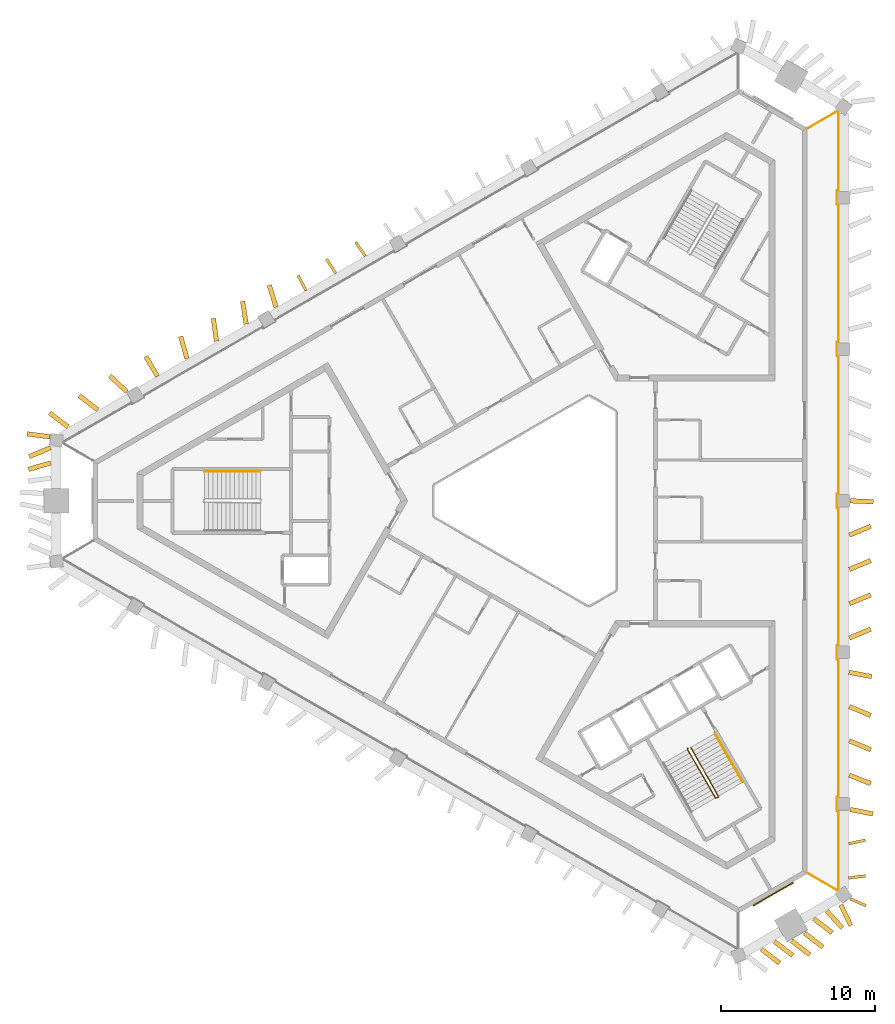
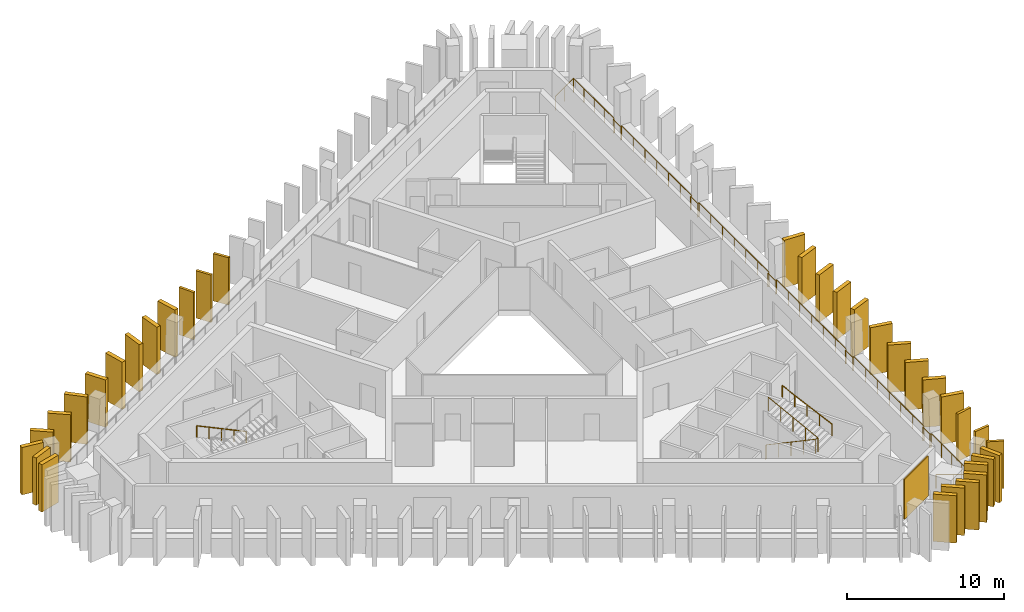
# One storey, part 8 of 9: 34 shading devices, 4 railings, 1 covering.
"""IFC4 building model written with IfcOpenShell, lengths in metres."""

from ifc_helpers import new_model, si_unit, direction, frame, frame_2d, origin, origin_2d, place, context, subcontext, project, spatial, rectangle, circle, extrude, material, layer, layer_set, type_object, element, save


model = new_model("IFC4")

# Units and contexts
model_context = context("Model", 3, precision=1e-05, world=origin(), true_north=direction((0.0, 1.0)))
body_context = subcontext(model_context, "Body", "Model", "MODEL_VIEW")
ifc_project = project(units=[si_unit("LENGTHUNIT", "METRE"), si_unit("AREAUNIT", "SQUARE_METRE"), si_unit("VOLUMEUNIT", "CUBIC_METRE"), si_unit("PLANEANGLEUNIT", "RADIAN"), si_unit("MASSUNIT", "GRAM", prefix="KILO")], contexts=[model_context])

# Site, building, storey
site_placement = place(None, origin())
site = spatial("IfcSite", under=ifc_project, at=site_placement, CompositionType="ELEMENT")
building_placement = place(site_placement, origin())
building = spatial("IfcBuilding", under=site, at=building_placement, Name="Jabali Bay Hotel Tower and Convention Centre", CompositionType="ELEMENT")
storey_placement = place(building_placement, frame((0.0, 0.0, 262.699951171875)))
storey = spatial("IfcBuildingStorey", under=building, at=storey_placement, Name="L64", CompositionType="ELEMENT", Elevation=262.699951171875)

# Railing
ifc_material_1 = material(Name="Glass", Category="glass")
railing_type_1 = type_object("IfcRailingType", Name="Loggia glass guard 1100", PredefinedType="BALUSTRADE", material=ifc_material_1)
railing_1_placement = place(storey_placement, frame((92.001953125, 104.217041015625, 0.0)))
element("IfcRailing", 1, at=railing_1_placement, inside=storey, type_object=railing_type_1, Name="Loggia glass guard L64", PredefinedType="BALUSTRADE", context=body_context, shape_type="SweptSolid", body=[
    extrude(circle(Radius=0.02490234375, at=origin_2d()), frame((0.0, 0.0, 1.0751953125), z_axis=(0.866035472144, 0.499982560684, 0.0), x_axis=(-0.495705140567, 0.858626418625, 0.13052619222)), (0.0, 0.0, 1.0), 2.27490234375),
    extrude(circle(Radius=0.02490234375, at=origin_2d()), frame((1.97021484375, 1.137451171875, 1.0751953125), z_axis=(0.798426583615, -0.602092177808, 0.0), x_axis=(0.596941195761, 0.791595933509, 0.13052619222)), (0.0, 0.0, 1.0), 0.037353515625),
    extrude(circle(Radius=0.02490234375, at=origin_2d()), frame((2.0, 1.114990234375, 1.0751953125), z_axis=(0.0, -1.0, 0.0), x_axis=(0.991444861374, 0.0, 0.13052619222)), (0.0, 0.0, 1.0), 5.165283203125),
    extrude(circle(Radius=0.02490234375, at=origin_2d()), frame((2.0, -4.05029296875, 1.0751953125), z_axis=(-1.0, 0.0, 0.0), x_axis=(0.0, -0.991444861374, 0.13052619222)), (0.0, 0.0, 1.0), 0.099853515625),
    extrude(circle(Radius=0.02490234375, at=origin_2d()), frame((1.900146484375, -4.05029296875, 1.0751953125), z_axis=(0.0, -1.0, 0.0), x_axis=(0.991444861374, 0.0, 0.13052619222)), (0.0, 0.0, 1.0), 0.89990234375),
    extrude(circle(Radius=0.02490234375, at=origin_2d()), frame((1.900146484375, -4.9501953125, 1.0751953125), z_axis=(1.0, 0.0, 0.0), x_axis=(0.0, 0.991444861374, 0.13052619222)), (0.0, 0.0, 1.0), 0.099853515625),
    extrude(circle(Radius=0.02490234375, at=origin_2d()), frame((2.0, -4.9501953125, 1.0751953125), z_axis=(0.0, -1.0, 0.0), x_axis=(0.991444861374, 0.0, 0.13052619222)), (0.0, 0.0, 1.0), 8.95849609375),
    extrude(circle(Radius=0.02490234375, at=origin_2d()), frame((2.0, -13.90869140625, 1.0751953125), z_axis=(-1.0, 0.0, 0.0), x_axis=(0.0, -0.991444861374, 0.13052619222)), (0.0, 0.0, 1.0), 0.099853515625),
    extrude(circle(Radius=0.02490234375, at=origin_2d()), frame((1.900146484375, -13.90869140625, 1.0751953125), z_axis=(0.0, -1.0, 0.0), x_axis=(0.991444861374, 0.0, 0.13052619222)), (0.0, 0.0, 1.0), 0.89990234375),
    extrude(circle(Radius=0.02490234375, at=origin_2d()), frame((1.900146484375, -14.80859375, 1.0751953125), z_axis=(1.0, 0.0, 0.0), x_axis=(0.0, 0.991444861374, 0.13052619222)), (0.0, 0.0, 1.0), 0.099853515625),
    extrude(circle(Radius=0.02490234375, at=origin_2d()), frame((2.0, -14.80859375, 1.0751953125), z_axis=(0.0, -1.0, 0.0), x_axis=(0.991444861374, 0.0, 0.13052619222)), (0.0, 0.0, 1.0), 8.95849609375),
    extrude(circle(Radius=0.02490234375, at=origin_2d()), frame((2.0, -23.76708984375, 1.0751953125), z_axis=(-1.0, 0.0, 0.0), x_axis=(0.0, -0.991444861374, 0.13052619222)), (0.0, 0.0, 1.0), 0.099853515625),
    extrude(circle(Radius=0.02490234375, at=origin_2d()), frame((1.900146484375, -23.76708984375, 1.0751953125), z_axis=(0.0, -1.0, 0.0), x_axis=(0.991444861374, 0.0, 0.13052619222)), (0.0, 0.0, 1.0), 0.89990234375),
    extrude(circle(Radius=0.02490234375, at=origin_2d()), frame((1.900146484375, -24.6669921875, 1.0751953125), z_axis=(1.0, 0.0, 0.0), x_axis=(0.0, 0.991444861374, 0.13052619222)), (0.0, 0.0, 1.0), 0.099853515625),
    extrude(circle(Radius=0.02490234375, at=origin_2d()), frame((2.0, -24.6669921875, 1.0751953125), z_axis=(0.0, -1.0, 0.0), x_axis=(0.991444861374, 0.0, 0.13052619222)), (0.0, 0.0, 1.0), 8.95849609375),
    extrude(circle(Radius=0.02490234375, at=origin_2d()), frame((2.0, -33.62548828125, 1.0751953125), z_axis=(-1.0, 0.0, 0.0), x_axis=(0.0, -0.991444861374, 0.13052619222)), (0.0, 0.0, 1.0), 0.099853515625),
    extrude(circle(Radius=0.02490234375, at=origin_2d()), frame((1.900146484375, -33.62548828125, 1.0751953125), z_axis=(0.0, -1.0, 0.0), x_axis=(0.991444861374, 0.0, 0.13052619222)), (0.0, 0.0, 1.0), 0.89990234375),
    extrude(circle(Radius=0.02490234375, at=origin_2d()), frame((1.900146484375, -34.525390625, 1.0751953125), z_axis=(1.0, 0.0, 0.0), x_axis=(0.0, 0.991444861374, 0.13052619222)), (0.0, 0.0, 1.0), 0.099853515625),
    extrude(circle(Radius=0.02490234375, at=origin_2d()), frame((2.0, -34.525390625, 1.0751953125), z_axis=(0.0, -1.0, 0.0), x_axis=(0.991444861374, 0.0, 0.13052619222)), (0.0, 0.0, 1.0), 8.95849609375),
    extrude(circle(Radius=0.02490234375, at=origin_2d()), frame((2.0, -43.48388671875, 1.0751953125), z_axis=(-1.0, 0.0, 0.0), x_axis=(0.0, -0.991444861374, 0.13052619222)), (0.0, 0.0, 1.0), 0.099853515625),
    extrude(circle(Radius=0.02490234375, at=origin_2d()), frame((1.900146484375, -43.48388671875, 1.0751953125), z_axis=(0.0, -1.0, 0.0), x_axis=(0.991444861374, 0.0, 0.13052619222)), (0.0, 0.0, 1.0), 0.89990234375),
    extrude(circle(Radius=0.02490234375, at=origin_2d()), frame((1.900146484375, -44.3837890625, 1.0751953125), z_axis=(1.0, 0.0, 0.0), x_axis=(0.0, 0.991444861374, 0.13052619222)), (0.0, 0.0, 1.0), 0.099853515625),
    extrude(circle(Radius=0.02490234375, at=origin_2d()), frame((2.0, -44.3837890625, 1.0751953125), z_axis=(0.0, -1.0, 0.0), x_axis=(0.991444861374, 0.0, 0.13052619222)), (0.0, 0.0, 1.0), 5.165283203125),
    extrude(circle(Radius=0.02490234375, at=origin_2d()), frame((2.0, -49.549072265625, 1.0751953125), z_axis=(-0.798426583615, -0.602092177808, 0.0), x_axis=(0.596941195761, -0.791595933509, 0.13052619222)), (0.0, 0.0, 1.0), 0.037353515625),
    extrude(circle(Radius=0.02490234375, at=origin_2d()), frame((1.97021484375, -49.571533203125, 1.0751953125), z_axis=(-0.866035472144, 0.499982560684, 0.0), x_axis=(-0.495705140567, -0.858626418625, 0.13052619222)), (0.0, 0.0, 1.0), 2.27490234375),
    extrude(circle(Radius=0.02001953125, at=origin_2d()), origin(), (0.0, 0.0, 1.0), 1.050048828125),
    extrude(circle(Radius=0.02001953125, at=origin_2d()), frame((0.985107421875, 0.56884765625, 0.0)), (0.0, 0.0, 1.0), 1.050048828125),
    extrude(circle(Radius=0.02001953125, at=origin_2d()), frame((1.97021484375, 1.137451171875, 0.0)), (0.0, 0.0, 1.0), 1.050048828125),
    extrude(circle(Radius=0.02001953125, at=origin_2d()), frame((2.0, 1.114990234375, 0.0)), (0.0, 0.0, 1.0), 1.050048828125),
    extrude(circle(Radius=0.02001953125, at=origin_2d()), frame((2.0, -0.17626953125, 0.0)), (0.0, 0.0, 1.0), 1.050048828125),
    extrude(circle(Radius=0.02001953125, at=origin_2d()), frame((2.0, -1.4677734375, 0.0)), (0.0, 0.0, 1.0), 1.050048828125),
    extrude(circle(Radius=0.02001953125, at=origin_2d()), frame((2.0, -2.759033203125, 0.0)), (0.0, 0.0, 1.0), 1.050048828125),
    extrude(circle(Radius=0.02001953125, at=origin_2d()), frame((2.0, -4.05029296875, 0.0)), (0.0, 0.0, 1.0), 1.050048828125),
    extrude(circle(Radius=0.02001953125, at=origin_2d()), frame((1.900146484375, -4.05029296875, 0.0)), (0.0, 0.0, 1.0), 1.050048828125),
    extrude(circle(Radius=0.02001953125, at=origin_2d()), frame((1.900146484375, -4.9501953125, 0.0)), (0.0, 0.0, 1.0), 1.050048828125),
    extrude(circle(Radius=0.02001953125, at=origin_2d()), frame((2.0, -4.9501953125, 0.0)), (0.0, 0.0, 1.0), 1.050048828125),
    extrude(circle(Radius=0.02001953125, at=origin_2d()), frame((2.0, -6.443359375, 0.0)), (0.0, 0.0, 1.0), 1.050048828125),
    extrude(circle(Radius=0.02001953125, at=origin_2d()), frame((2.0, -7.936279296875, 0.0)), (0.0, 0.0, 1.0), 1.050048828125),
    extrude(circle(Radius=0.02001953125, at=origin_2d()), frame((2.0, -9.429443359375, 0.0)), (0.0, 0.0, 1.0), 1.050048828125),
    extrude(circle(Radius=0.02001953125, at=origin_2d()), frame((2.0, -10.922607421875, 0.0)), (0.0, 0.0, 1.0), 1.050048828125),
    extrude(circle(Radius=0.02001953125, at=origin_2d()), frame((2.0, -12.41552734375, 0.0)), (0.0, 0.0, 1.0), 1.050048828125),
    extrude(circle(Radius=0.02001953125, at=origin_2d()), frame((2.0, -13.90869140625, 0.0)), (0.0, 0.0, 1.0), 1.050048828125),
    extrude(circle(Radius=0.02001953125, at=origin_2d()), frame((1.900146484375, -13.90869140625, 0.0)), (0.0, 0.0, 1.0), 1.050048828125),
    extrude(circle(Radius=0.02001953125, at=origin_2d()), frame((1.900146484375, -14.80859375, 0.0)), (0.0, 0.0, 1.0), 1.050048828125),
    extrude(circle(Radius=0.02001953125, at=origin_2d()), frame((2.0, -14.80859375, 0.0)), (0.0, 0.0, 1.0), 1.050048828125),
    extrude(circle(Radius=0.02001953125, at=origin_2d()), frame((2.0, -16.3017578125, 0.0)), (0.0, 0.0, 1.0), 1.050048828125),
    extrude(circle(Radius=0.02001953125, at=origin_2d()), frame((2.0, -17.794677734375, 0.0)), (0.0, 0.0, 1.0), 1.050048828125),
    extrude(circle(Radius=0.02001953125, at=origin_2d()), frame((2.0, -19.287841796875, 0.0)), (0.0, 0.0, 1.0), 1.050048828125),
    extrude(circle(Radius=0.02001953125, at=origin_2d()), frame((2.0, -20.781005859375, 0.0)), (0.0, 0.0, 1.0), 1.050048828125),
    extrude(circle(Radius=0.02001953125, at=origin_2d()), frame((2.0, -22.27392578125, 0.0)), (0.0, 0.0, 1.0), 1.050048828125),
    extrude(circle(Radius=0.02001953125, at=origin_2d()), frame((2.0, -23.76708984375, 0.0)), (0.0, 0.0, 1.0), 1.050048828125),
    extrude(circle(Radius=0.02001953125, at=origin_2d()), frame((1.900146484375, -23.76708984375, 0.0)), (0.0, 0.0, 1.0), 1.050048828125),
    extrude(circle(Radius=0.02001953125, at=origin_2d()), frame((1.900146484375, -24.6669921875, 0.0)), (0.0, 0.0, 1.0), 1.050048828125),
    extrude(circle(Radius=0.02001953125, at=origin_2d()), frame((2.0, -24.6669921875, 0.0)), (0.0, 0.0, 1.0), 1.050048828125),
    extrude(circle(Radius=0.02001953125, at=origin_2d()), frame((2.0, -26.16015625, 0.0)), (0.0, 0.0, 1.0), 1.050048828125),
    extrude(circle(Radius=0.02001953125, at=origin_2d()), frame((2.0, -27.653076171875, 0.0)), (0.0, 0.0, 1.0), 1.050048828125),
    extrude(circle(Radius=0.02001953125, at=origin_2d()), frame((2.0, -29.146240234375, 0.0)), (0.0, 0.0, 1.0), 1.050048828125),
    extrude(circle(Radius=0.02001953125, at=origin_2d()), frame((2.0, -30.639404296875, 0.0)), (0.0, 0.0, 1.0), 1.050048828125),
    extrude(circle(Radius=0.02001953125, at=origin_2d()), frame((2.0, -32.13232421875, 0.0)), (0.0, 0.0, 1.0), 1.050048828125),
    extrude(circle(Radius=0.02001953125, at=origin_2d()), frame((2.0, -33.62548828125, 0.0)), (0.0, 0.0, 1.0), 1.050048828125),
    extrude(circle(Radius=0.02001953125, at=origin_2d()), frame((1.900146484375, -33.62548828125, 0.0)), (0.0, 0.0, 1.0), 1.050048828125),
    extrude(circle(Radius=0.02001953125, at=origin_2d()), frame((1.900146484375, -34.525390625, 0.0)), (0.0, 0.0, 1.0), 1.050048828125),
    extrude(circle(Radius=0.02001953125, at=origin_2d()), frame((2.0, -34.525390625, 0.0)), (0.0, 0.0, 1.0), 1.050048828125),
    extrude(circle(Radius=0.02001953125, at=origin_2d()), frame((2.0, -36.0185546875, 0.0)), (0.0, 0.0, 1.0), 1.050048828125),
    extrude(circle(Radius=0.02001953125, at=origin_2d()), frame((2.0, -37.511474609375, 0.0)), (0.0, 0.0, 1.0), 1.050048828125),
    extrude(circle(Radius=0.02001953125, at=origin_2d()), frame((2.0, -39.004638671875, 0.0)), (0.0, 0.0, 1.0), 1.050048828125),
    extrude(circle(Radius=0.02001953125, at=origin_2d()), frame((2.0, -40.497802734375, 0.0)), (0.0, 0.0, 1.0), 1.050048828125),
    extrude(circle(Radius=0.02001953125, at=origin_2d()), frame((2.0, -41.99072265625, 0.0)), (0.0, 0.0, 1.0), 1.050048828125),
    extrude(circle(Radius=0.02001953125, at=origin_2d()), frame((2.0, -43.48388671875, 0.0)), (0.0, 0.0, 1.0), 1.050048828125),
    extrude(circle(Radius=0.02001953125, at=origin_2d()), frame((1.900146484375, -43.48388671875, 0.0)), (0.0, 0.0, 1.0), 1.050048828125),
    extrude(circle(Radius=0.02001953125, at=origin_2d()), frame((1.900146484375, -44.3837890625, 0.0)), (0.0, 0.0, 1.0), 1.050048828125),
    extrude(circle(Radius=0.02001953125, at=origin_2d()), frame((2.0, -44.3837890625, 0.0)), (0.0, 0.0, 1.0), 1.050048828125),
    extrude(circle(Radius=0.02001953125, at=origin_2d()), frame((2.0, -45.675048828125, 0.0)), (0.0, 0.0, 1.0), 1.050048828125),
    extrude(circle(Radius=0.02001953125, at=origin_2d()), frame((2.0, -46.96630859375, 0.0)), (0.0, 0.0, 1.0), 1.050048828125),
    extrude(circle(Radius=0.02001953125, at=origin_2d()), frame((2.0, -48.2578125, 0.0)), (0.0, 0.0, 1.0), 1.050048828125),
    extrude(circle(Radius=0.02001953125, at=origin_2d()), frame((2.0, -49.549072265625, 0.0)), (0.0, 0.0, 1.0), 1.050048828125),
    extrude(circle(Radius=0.02001953125, at=origin_2d()), frame((1.97021484375, -49.571533203125, 0.0)), (0.0, 0.0, 1.0), 1.050048828125),
    extrude(circle(Radius=0.02001953125, at=origin_2d()), frame((0.985107421875, -49.0029296875, 0.0)), (0.0, 0.0, 1.0), 1.050048828125),
    extrude(circle(Radius=0.02001953125, at=origin_2d()), frame((0.0, -48.43408203125, 0.0)), (0.0, 0.0, 1.0), 1.050048828125),
])

# Shading devices
ifc_material_2 = material(Name="Precast concrete C60", Category="concrete")
ifc_layer_1 = layer(ifc_material_2, 0.179931640625)
ifc_layer_set_1 = layer_set([ifc_layer_1], Name="Precast concrete C60")
shading_device_type_1 = type_object("IfcShadingDeviceType", Name="Precast fin 3680 x 1100", PredefinedType="USERDEFINED", material=ifc_layer_set_1)
for number, where, z_axis, x_axis, name in (
    (2, (94.65576171875, 55.48291015625, 0.010009765625), (0.0, 0.0, 1.0), (0.991967562686, 0.126492507994, 0.0), "Fin L64 000"),
    (3, (94.663330078125, 57.711669921875, 0.010009765625), (0.0, 0.0, 1.0), (0.977616907443, 0.210392923554, 0.0), "Fin L64 001"),
    (4, (63.243896484375, 95.904541015625, 0.010009765625), (0.0, 0.0, 1.0), (-0.56905993639, 0.822296046929, 0.0), "Fin L64 043"),
):
    element("IfcShadingDevice", number, at=place(storey_placement, frame(where, z_axis=z_axis, x_axis=x_axis)), inside=storey, type_object=shading_device_type_1, Name=name, ObjectType="FIN", PredefinedType="USERDEFINED", context=body_context, shape_type="SweptSolid", body=[
        extrude(rectangle(XDim=1.10009765625, YDim=0.179931640625, at=frame_2d((0.550048828125, 0.0))), origin(), (0.0, 0.0, 1.0), 3.679931640625),
    ])
for number, where, z_axis, x_axis, name in (
    (5, (61.315185546875, 94.787353515625, 0.010009765625), (0.0, 0.0, 1.0), (-0.540016997, 0.84165411123, 0.0), "Fin L64 044"),
    (6, (59.38525390625, 93.67236328125, 0.010009765625), (0.0, 0.0, 1.0), (-0.46611231116, 0.88472555823, 0.0), "Fin L64 045"),
    (7, (94.76904296875, 54.127685546875, 0.010009765625), (0.0, 0.0, 1.0), (0.913994508232, -0.405726556835, 0.0), "Fin L64 093"),
):
    element("IfcShadingDevice", number, at=place(storey_placement, frame(where, z_axis=z_axis, x_axis=x_axis)), inside=storey, type_object=shading_device_type_1, Name=name, ObjectType="FIN", PredefinedType="USERDEFINED", context=body_context, shape_type="SweptSolid", body=[
        extrude(rectangle(XDim=1.099853515625, YDim=0.179931640625, at=frame_2d((0.5498046875, 0.0))), origin(), (0.0, 0.0, 1.0), 3.679931640625),
    ])
ifc_layer_2 = layer(ifc_material_2, 0.300048828125)
ifc_layer_set_2 = layer_set([ifc_layer_2], Name="Precast concrete C60")
shading_device_type_2 = type_object("IfcShadingDeviceType", Name="Precast fin 3680 x 1500", PredefinedType="USERDEFINED", material=ifc_layer_set_2)
for number, where, z_axis, x_axis, name in (
    (8, (94.76318359375, 59.9404296875, 0.010009765625), (0.0, 0.0, 1.0), (0.980448997711, -0.196773379521, 0.0), "Fin L64 002"),
    (9, (94.699462890625, 62.16943359375, 0.010009765625), (0.0, 0.0, 1.0), (0.930283882643, -0.366840425381, 0.0), "Fin L64 003"),
):
    element("IfcShadingDevice", number, at=place(storey_placement, frame(where, z_axis=z_axis, x_axis=x_axis)), inside=storey, type_object=shading_device_type_2, Name=name, ObjectType="FIN", PredefinedType="USERDEFINED", context=body_context, shape_type="SweptSolid", body=[
        extrude(rectangle(XDim=1.5, YDim=0.300048828125, at=frame_2d((0.75, 0.0))), origin(), (0.0, 0.0, 1.0), 3.679931640625),
    ])
shading_device_1_placement = place(storey_placement, frame((94.701416015625, 64.398193359375, 0.010009765625), z_axis=(0.0, 0.0, 1.0), x_axis=(0.924715169058, -0.380659764243, 0.0)))
element("IfcShadingDevice", 10, at=shading_device_1_placement, inside=storey, type_object=shading_device_type_2, Name="Fin L64 004", ObjectType="FIN", PredefinedType="USERDEFINED", context=body_context, shape_type="SweptSolid", body=[
    extrude(rectangle(XDim=1.500244140625, YDim=0.300048828125, at=frame_2d((0.75, 0.0))), origin(), (0.0, 0.0, 1.0), 3.679931640625),
])
shading_device_2_placement = place(storey_placement, frame((94.701904296875, 66.626953125, 0.010009765625), z_axis=(0.0, 0.0, 1.0), x_axis=(0.923490506727, -0.383621276763, 0.0)))
element("IfcShadingDevice", 11, at=shading_device_2_placement, inside=storey, type_object=shading_device_type_2, Name="Fin L64 005", ObjectType="FIN", PredefinedType="USERDEFINED", context=body_context, shape_type="SweptSolid", body=[
    extrude(rectangle(XDim=1.5, YDim=0.300048828125, at=frame_2d((0.75, 0.0))), origin(), (0.0, 0.0, 1.0), 3.679931640625),
])
shading_device_3_placement = place(storey_placement, frame((94.672607421875, 68.85595703125, 0.010009765625), z_axis=(0.0, 0.0, 1.0), x_axis=(0.982144317136, -0.188129052296, 0.0)))
element("IfcShadingDevice", 12, at=shading_device_3_placement, inside=storey, type_object=shading_device_type_2, Name="Fin L64 006", ObjectType="FIN", PredefinedType="USERDEFINED", context=body_context, shape_type="SweptSolid", body=[
    extrude(rectangle(XDim=1.500244140625, YDim=0.300048828125, at=frame_2d((0.75, 0.0))), origin(), (0.0, 0.0, 1.0), 3.679931640625),
])
for number, where, z_axis, x_axis, name in (
    (13, (94.7021484375, 71.084716796875, 0.010009765625), (0.0, 0.0, 1.0), (0.923153948977, 0.38443047029, 0.0), "Fin L64 007"),
    (14, (94.7021484375, 73.3134765625, 0.010009765625), (0.0, 0.0, 1.0), (0.923153948977, 0.38443047029, 0.0), "Fin L64 008"),
):
    element("IfcShadingDevice", number, at=place(storey_placement, frame(where, z_axis=z_axis, x_axis=x_axis)), inside=storey, type_object=shading_device_type_2, Name=name, ObjectType="FIN", PredefinedType="USERDEFINED", context=body_context, shape_type="SweptSolid", body=[
        extrude(rectangle(XDim=1.5, YDim=0.300048828125, at=frame_2d((0.75, 0.0))), origin(), (0.0, 0.0, 1.0), 3.679931640625),
    ])
shading_device_4_placement = place(storey_placement, frame((94.7021484375, 75.542236328125, 0.010009765625), z_axis=(0.0, 0.0, 1.0), x_axis=(0.923096181819, 0.384569160374, 0.0)))
element("IfcShadingDevice", 15, at=shading_device_4_placement, inside=storey, type_object=shading_device_type_2, Name="Fin L64 009", ObjectType="FIN", PredefinedType="USERDEFINED", context=body_context, shape_type="SweptSolid", body=[
    extrude(rectangle(XDim=1.500244140625, YDim=0.300048828125, at=frame_2d((0.75, 0.0))), origin(), (0.0, 0.0, 1.0), 3.679931640625),
])
for number, where, z_axis, x_axis, name in (
    (16, (94.7021484375, 77.771240234375, 0.010009765625), (0.0, 0.0, 1.0), (0.923153948977, 0.38443047029, 0.0), "Fin L64 010"),
    (17, (94.7578125, 80.0, 0.010009765625), (0.0, 0.0, 1.0), (0.999249346644, -0.03873942735, 0.0), "Fin L64 011"),
):
    element("IfcShadingDevice", number, at=place(storey_placement, frame(where, z_axis=z_axis, x_axis=x_axis)), inside=storey, type_object=shading_device_type_2, Name=name, ObjectType="FIN", PredefinedType="USERDEFINED", context=body_context, shape_type="SweptSolid", body=[
        extrude(rectangle(XDim=1.5, YDim=0.300048828125, at=frame_2d((0.75, 0.0))), origin(), (0.0, 0.0, 1.0), 3.679931640625),
    ])
shading_device_5_placement = place(storey_placement, frame((57.43994140625, 92.584228515625, 0.010009765625), z_axis=(0.0, 0.0, 1.0), x_axis=(-0.292346732451, 0.956312390396, 0.0)))
element("IfcShadingDevice", 18, at=shading_device_5_placement, inside=storey, type_object=shading_device_type_2, Name="Fin L64 046", ObjectType="FIN", PredefinedType="USERDEFINED", context=body_context, shape_type="SweptSolid", body=[
    extrude(rectangle(XDim=1.499755859375, YDim=0.300048828125, at=frame_2d((0.75, 0.0))), origin(), (0.0, 0.0, 1.0), 3.679931640625),
])
for number, where, z_axis, x_axis, name in (
    (19, (55.499755859375, 91.487060546875, 0.010009765625), (0.0, 0.0, 1.0), (-0.156581054338, 0.98766511198, 0.0), "Fin L64 047"),
    (20, (53.568115234375, 90.375244140625, 0.010009765625), (0.0, 0.0, 1.0), (-0.134924366204, 0.990855900424, 0.0), "Fin L64 048"),
    (21, (51.647705078125, 89.243896484375, 0.010009765625), (0.0, 0.0, 1.0), (-0.27035432696, 0.962760893418, 0.0), "Fin L64 049"),
    (22, (49.73486328125, 88.099365234375, 0.010009765625), (0.0, 0.0, 1.0), (-0.513633886634, 0.858009458282, 0.0), "Fin L64 050"),
    (23, (47.7431640625, 87.091064453125, 0.010009765625), (0.0, 0.0, 1.0), (-0.733685544027, 0.679489162891, 0.0), "Fin L64 051"),
):
    element("IfcShadingDevice", number, at=place(storey_placement, frame(where, z_axis=z_axis, x_axis=x_axis)), inside=storey, type_object=shading_device_type_2, Name=name, ObjectType="FIN", PredefinedType="USERDEFINED", context=body_context, shape_type="SweptSolid", body=[
        extrude(rectangle(XDim=1.5, YDim=0.300048828125, at=frame_2d((0.75, 0.0))), origin(), (0.0, 0.0, 1.0), 3.679931640625),
    ])
shading_device_6_placement = place(storey_placement, frame((45.8466796875, 85.91845703125, 0.010009765625), z_axis=(0.0, 0.0, 1.0), x_axis=(-0.794556474212, 0.6071902579, 0.0)))
element("IfcShadingDevice", 24, at=shading_device_6_placement, inside=storey, type_object=shading_device_type_2, Name="Fin L64 052", ObjectType="FIN", PredefinedType="USERDEFINED", context=body_context, shape_type="SweptSolid", body=[
    extrude(rectangle(XDim=1.499755859375, YDim=0.300048828125, at=frame_2d((0.75, 0.0))), origin(), (0.0, 0.0, 1.0), 3.679931640625),
])
for number, where, z_axis, x_axis, name in (
    (25, (43.91650390625, 84.803955078125, 0.010009765625), (0.0, 0.0, 1.0), (-0.794537958448, 0.607214486475, 0.0), "Fin L64 053"),
    (26, (42.781982421875, 83.45068359375, 0.010009765625), (0.0, 0.0, 1.0), (-0.923153948977, -0.38443047029, 0.0), "Fin L64 054"),
    (27, (42.7978515625, 82.46484375, 0.010009765625), (0.0, 0.0, 1.0), (-0.960211168034, -0.279274977008, 0.0), "Fin L64 055"),
    (28, (88.974609375, 50.865966796875, 0.010009765625), (0.0, 0.0, 1.0), (0.794477939917, -0.607293012462, 0.0), "Fin L64 086"),
    (29, (89.828369140625, 51.35888671875, 0.010009765625), (0.0, 0.0, 1.0), (0.794477939917, -0.607293012462, 0.0), "Fin L64 087"),
    (30, (90.9384765625, 51.407958984375, 0.010009765625), (0.0, 0.0, 1.0), (0.794537958448, -0.607214486475, 0.0), "Fin L64 088"),
    (31, (91.792236328125, 51.90087890625, 0.010009765625), (0.0, 0.0, 1.0), (0.794537958448, -0.607214486475, 0.0), "Fin L64 089"),
    (32, (92.3896484375, 52.837890625, 0.010009765625), (0.0, 0.0, 1.0), (0.794537958448, -0.607214486475, 0.0), "Fin L64 090"),
):
    element("IfcShadingDevice", number, at=place(storey_placement, frame(where, z_axis=z_axis, x_axis=x_axis)), inside=storey, type_object=shading_device_type_2, Name=name, ObjectType="FIN", PredefinedType="USERDEFINED", context=body_context, shape_type="SweptSolid", body=[
        extrude(rectangle(XDim=1.5, YDim=0.300048828125, at=frame_2d((0.75, 0.0))), origin(), (0.0, 0.0, 1.0), 3.679931640625),
    ])
shading_device_7_placement = place(storey_placement, frame((93.230712890625, 53.35302734375, 0.010009765625), z_axis=(0.0, 0.0, 1.0), x_axis=(0.672267592908, -0.740308235484, 0.0)))
element("IfcShadingDevice", 33, at=shading_device_7_placement, inside=storey, type_object=shading_device_type_2, Name="Fin L64 091", ObjectType="FIN", PredefinedType="USERDEFINED", context=body_context, shape_type="SweptSolid", body=[
    extrude(rectangle(XDim=1.499755859375, YDim=0.300048828125, at=frame_2d((0.75, 0.0))), origin(), (0.0, 0.0, 1.0), 3.679931640625),
])
for number, where, z_axis, x_axis, name in (
    (34, (94.142578125, 53.745361328125, 0.010009765625), (0.0, 0.0, 1.0), (0.432963881781, -0.901411269662, 0.0), "Fin L64 092"),
    (35, (42.74951171875, 84.1611328125, 0.010009765625), (0.0, 0.0, 1.0), (-0.991699047988, 0.128580707026, 0.0), "Fin L64 096"),
):
    element("IfcShadingDevice", number, at=place(storey_placement, frame(where, z_axis=z_axis, x_axis=x_axis)), inside=storey, type_object=shading_device_type_2, Name=name, ObjectType="FIN", PredefinedType="USERDEFINED", context=body_context, shape_type="SweptSolid", body=[
        extrude(rectangle(XDim=1.5, YDim=0.300048828125, at=frame_2d((0.75, 0.0))), origin(), (0.0, 0.0, 1.0), 3.679931640625),
    ])

# Covering
ifc_material_3 = material(Name="Precast concrete C40/50", Category="concrete")
ifc_layer_3 = layer(ifc_material_3, 0.080078125)
ifc_layer_set_3 = layer_set([ifc_layer_3], Name="Precast concrete C40/50")
covering_type = type_object("IfcCoveringType", Name="Relief panel 3000 x 3100", PredefinedType="CLADDING", material=ifc_layer_set_3)
covering_placement = place(storey_placement, frame((89.7568359375, 54.4404296875, 0.10009765625), z_axis=(0.0, 0.0, 1.0), x_axis=(-0.866025400756, -0.500000005245, 0.0)))
element("IfcCovering", 36, at=covering_placement, inside=storey, type_object=covering_type, Name="Relief panel L64", PredefinedType="CLADDING", context=body_context, shape_type="SweptSolid", body=[
    extrude(rectangle(XDim=3.0, YDim=0.080078125, at=origin_2d()), origin(), (0.0, 0.0, 1.0), 3.10009765625),
])

# Railings
ifc_material_4 = material(Name="Steel Q355B", Category="steel")
railing_type_2 = type_object("IfcRailingType", Name="Stair guard 1100", PredefinedType="GUARDRAIL", material=ifc_material_4)
railing_2_placement = place(storey_placement, frame((84.199951171875, 63.9150390625, 0.0)))
element("IfcRailing", 37, at=railing_2_placement, inside=storey, type_object=railing_type_2, Name="L64 ST3 stair guard 1", PredefinedType="GUARDRAIL", context=body_context, shape_type="SweptSolid", body=[
    extrude(circle(Radius=0.02392578125, at=origin_2d()), frame((0.0, 0.0, 1.076171875), z_axis=(-0.122196845461, -0.456201556387, 0.881446578591), x_axis=(0.965948051503, -0.258736085224, 0.0)), (0.0, 0.0, 1.0), 0.14990234375),
    extrude(circle(Radius=0.02392578125, at=origin_2d()), frame((-0.018310546875, -0.068359375, 1.2080078125), z_axis=(0.45217862506, -0.783169739339, 0.426825081763), x_axis=(0.866018046521, 0.500012742938, 0.0)), (0.0, 0.0, 1.0), 4.025146484375),
    extrude(circle(Radius=0.02392578125, at=origin_2d()), frame((1.8017578125, -3.220703125, 2.92626953125), z_axis=(0.96121063429, 0.275815366736, 0.0), x_axis=(-0.275815366736, 0.96121063429, 0.0)), (0.0, 0.0, 1.0), 0.206298828125),
    extrude(circle(Radius=0.02392578125, at=origin_2d()), frame((2.0, -3.163818359375, 2.92626953125), z_axis=(-0.436481798955, 0.780166857725, 0.448133142368), x_axis=(-0.872702246529, -0.488252792008, 0.0)), (0.0, 0.0, 1.0), 4.1279296875),
    extrude(circle(Radius=0.02099609375, at=origin_2d()), origin(), (0.0, 0.0, 1.0), 1.052001953125),
    extrude(circle(Radius=0.02099609375, at=origin_2d()), frame((-0.018310546875, -0.068359375, 0.132080078125)), (0.0, 0.0, 1.0), 1.052001953125),
    extrude(circle(Radius=0.02099609375, at=origin_2d()), frame((0.436767578125, -0.8564453125, 0.5615234375)), (0.0, 0.0, 1.0), 1.052001953125),
    extrude(circle(Radius=0.02099609375, at=origin_2d()), frame((0.8916015625, -1.64453125, 0.9912109375)), (0.0, 0.0, 1.0), 1.052001953125),
    extrude(circle(Radius=0.02099609375, at=origin_2d()), frame((1.3466796875, -2.4326171875, 1.420654296875)), (0.0, 0.0, 1.0), 1.052001953125),
    extrude(circle(Radius=0.02099609375, at=origin_2d()), frame((1.8017578125, -3.220703125, 1.85009765625)), (0.0, 0.0, 1.0), 1.052001953125),
    extrude(circle(Radius=0.02099609375, at=origin_2d()), frame((2.0, -3.163818359375, 1.85009765625)), (0.0, 0.0, 1.0), 1.052001953125),
    extrude(circle(Radius=0.02099609375, at=origin_2d()), frame((1.549560546875, -2.358642578125, 2.3125)), (0.0, 0.0, 1.0), 1.052001953125),
    extrude(circle(Radius=0.02099609375, at=origin_2d()), frame((1.09912109375, -1.5537109375, 2.77490234375)), (0.0, 0.0, 1.0), 1.052001953125),
    extrude(circle(Radius=0.02099609375, at=origin_2d()), frame((0.648681640625, -0.74853515625, 3.237548828125)), (0.0, 0.0, 1.0), 1.052001953125),
    extrude(circle(Radius=0.02099609375, at=origin_2d()), frame((0.1982421875, 0.056640625, 3.699951171875)), (0.0, 0.0, 1.0), 1.052001953125),
])
railing_type_3 = type_object("IfcRailingType", Name="Stair handrail 900", PredefinedType="HANDRAIL", material=ifc_material_4)
railing_3_placement = place(storey_placement, frame((56.419921875, 81.925048828125, 0.132080078125)))
element("IfcRailing", 38, at=railing_3_placement, inside=storey, type_object=railing_type_3, Name="L64 ST1 stair handrail 1", PredefinedType="HANDRAIL", context=body_context, shape_type="SweptSolid", body=[
    extrude(circle(Radius=0.02392578125, at=origin_2d()), frame((0.0, 0.0, 0.8759765625), z_axis=(-0.904327350853, 0.0, 0.426839598092), x_axis=(0.0, -1.0, 0.0)), (0.0, 0.0, 1.0), 4.02490234375),
    extrude(circle(Radius=0.02099609375, at=origin_2d()), origin(), (0.0, 0.0, 1.0), 0.851806640625),
    extrude(circle(Radius=0.02099609375, at=origin_2d()), frame((-0.909912109375, 0.0, 0.429443359375)), (0.0, 0.0, 1.0), 0.851806640625),
    extrude(circle(Radius=0.02099609375, at=origin_2d()), frame((-1.81982421875, 0.0, 0.85888671875)), (0.0, 0.0, 1.0), 0.851806640625),
    extrude(circle(Radius=0.02099609375, at=origin_2d()), frame((-2.72998046875, 0.0, 1.28857421875)), (0.0, 0.0, 1.0), 0.851806640625),
    extrude(circle(Radius=0.02099609375, at=origin_2d()), frame((-3.639892578125, 0.0, 1.718017578125)), (0.0, 0.0, 1.0), 0.851806640625),
])
railing_4_placement = place(storey_placement, frame((87.777099609375, 61.719482421875, 1.982177734375)))
element("IfcRailing", 39, at=railing_4_placement, inside=storey, type_object=railing_type_3, Name="L64 ST3 stair handrail 2", PredefinedType="HANDRAIL", context=body_context, shape_type="SweptSolid", body=[
    extrude(circle(Radius=0.02392578125, at=origin_2d()), frame((0.0, 0.0, 0.8759765625), z_axis=(-0.452190331055, 0.783190014029, 0.426775475427), x_axis=(-0.866018046521, -0.500012742938, 0.0)), (0.0, 0.0, 1.0), 4.02490234375),
    extrude(circle(Radius=0.02099609375, at=origin_2d()), origin(), (0.0, 0.0, 1.0), 0.851806640625),
    extrude(circle(Radius=0.02099609375, at=origin_2d()), frame((-0.455078125, 0.7880859375, 0.429443359375)), (0.0, 0.0, 1.0), 0.851806640625),
    extrude(circle(Radius=0.02099609375, at=origin_2d()), frame((-0.91015625, 1.576171875, 0.85888671875)), (0.0, 0.0, 1.0), 0.851806640625),
    extrude(circle(Radius=0.02099609375, at=origin_2d()), frame((-1.364990234375, 2.3642578125, 1.288330078125)), (0.0, 0.0, 1.0), 0.851806640625),
    extrude(circle(Radius=0.02099609375, at=origin_2d()), frame((-1.820068359375, 3.15234375, 1.7177734375)), (0.0, 0.0, 1.0), 0.851806640625),
])

save(model, "model.ifc")
